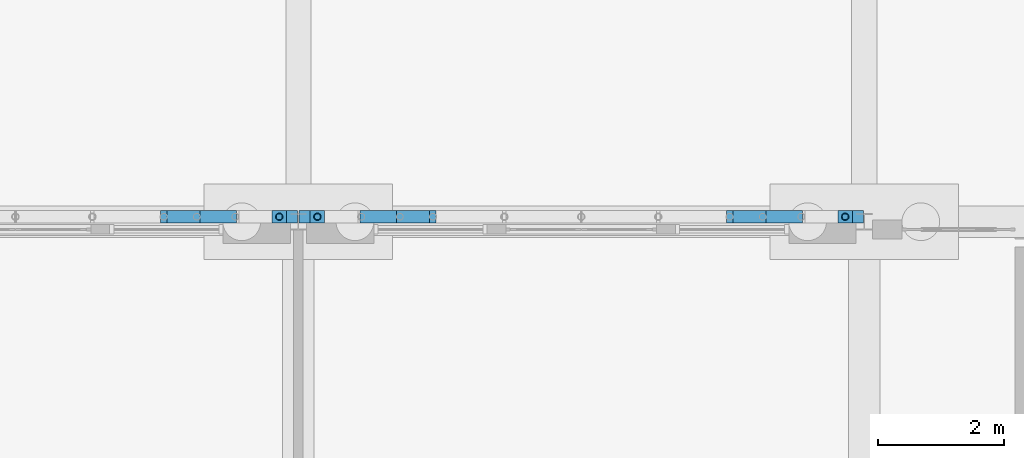
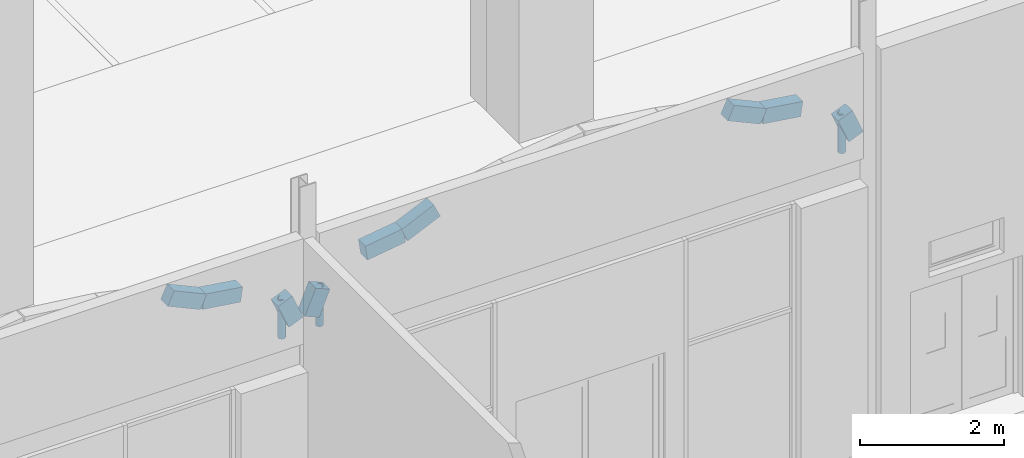
# One storey, part 68 of 250: 9 beams, 3 members.
"""IFC4 building model written with IfcOpenShell, lengths in metres."""

from ifc_helpers import new_model, si_unit, direction, frame, origin, origin_2d, place, context, subcontext, project, spatial, rectangle, hollow_circle, extrude, material, material_profile, profile_set, type_object, element, save


model = new_model("IFC4")

# Units and contexts
model_context = context("Model", 3, precision=1e-05, world=origin(), true_north=direction((0.0, 1.0)))
body_context = subcontext(model_context, "Body", "Model", "MODEL_VIEW")
ifc_project = project(units=[si_unit("LENGTHUNIT", "METRE"), si_unit("AREAUNIT", "SQUARE_METRE"), si_unit("VOLUMEUNIT", "CUBIC_METRE"), si_unit("PLANEANGLEUNIT", "RADIAN"), si_unit("MASSUNIT", "GRAM", prefix="KILO")], contexts=[model_context])

# Site, building, storey
site_placement = place(None, origin())
site = spatial("IfcSite", under=ifc_project, at=site_placement, CompositionType="ELEMENT")
building_placement = place(site_placement, origin())
building = spatial("IfcBuilding", under=site, at=building_placement, Name="Baradari Gate Terminus", CompositionType="ELEMENT")
storey_placement = place(building_placement, origin())
storey = spatial("IfcBuildingStorey", under=building, at=storey_placement, Name="L00", CompositionType="ELEMENT", Elevation=0.0)

# Members
ifc_material_1 = material(Name="Steel S355", Category="steel")
ifc_material_profile_1 = material_profile(ifc_material_1, hollow_circle(Radius=0.05712890625, WallThickness=0.00634765625, at=origin_2d()), Name="CHS 114.3x6.3")
ifc_profile_set_1 = profile_set([ifc_material_profile_1], Name="Steel S355")
member_type = type_object("IfcMemberType", Name="Arcade arch post SP-2 114x6.3", PredefinedType="POST", material=ifc_profile_set_1)
for number, where, z_axis, x_axis, name in (
    (1, (107.697021484375, 108.07861328125, 4.89990234375), (0.0, 0.0, 1.0), (1.0, 0.0, 0.0), "Arcade arch post 11.12"),
    (2, (108.302978515625, 108.07861328125, 4.89990234375), (0.0, 0.0, 1.0), (1.0, 0.0, 0.0), "Arcade arch post 12.2"),
    (3, (116.697021484375, 108.07861328125, 4.89990234375), (0.0, 0.0, 1.0), (1.0, 0.0, 0.0), "Arcade arch post 12.12"),
):
    element("IfcMember", number, at=place(storey_placement, frame(where, z_axis=z_axis, x_axis=x_axis)), inside=storey, type_object=member_type, Name=name, PredefinedType="POST", context=body_context, shape_type="SweptSolid", body=[
        extrude(hollow_circle(Radius=0.05712890625, WallThickness=0.00634765625, at=origin_2d()), origin(), (0.0, 0.0, 1.0), 0.66796875),
    ])

# Beams
ifc_material_2 = material(Name="Concrete C40/50 precast", Category="concrete")
ifc_material_profile_2 = material_profile(ifc_material_2, rectangle(XDim=0.199951171875, YDim=0.25, at=origin_2d()), Name="AB-1 200X250")
ifc_profile_set_2 = profile_set([ifc_material_profile_2], Name="Concrete C40/50 precast")
beam_type = type_object("IfcBeamType", Name="Arcade arch segment AB-1 200x250", PredefinedType="BEAM", material=ifc_profile_set_2)
beam_1_placement = place(storey_placement, frame((105.86083984375, 108.07861328125, 6.254150390625), z_axis=(0.910177822616, 0.0, -0.414217734071), x_axis=(0.0, 1.0, 0.0)))
element("IfcBeam", 4, at=beam_1_placement, inside=storey, type_object=beam_type, Name="Arcade arch AB-1 bay 11 segment 9", PredefinedType="BEAM", context=body_context, shape_type="SweptSolid", body=[
    extrude(rectangle(XDim=0.199951171875, YDim=0.25, at=origin_2d()), origin(), (0.0, 0.0, 1.0), 0.576416015625),
])
beam_2_placement = place(storey_placement, frame((106.385498046875, 108.07861328125, 6.015380859375), z_axis=(0.989454167091, 0.0, -0.144846302083), x_axis=(0.0, 1.0, 0.0)))
element("IfcBeam", 5, at=beam_2_placement, inside=storey, type_object=beam_type, Name="Arcade arch AB-1 bay 11 segment 10", PredefinedType="BEAM", context=body_context, shape_type="SweptSolid", body=[
    extrude(rectangle(XDim=0.199951171875, YDim=0.25, at=origin_2d()), origin(), (0.0, 0.0, 1.0), 0.61865234375),
])
for number, where, z_axis, x_axis, name in (
    (6, (107.697021484375, 108.07861328125, 5.56787109375), (0.385839488106, 0.0, -0.922565926868), (0.0, 1.0, 0.0), "Arcade arch AB-1 bay 11 segment 12"),
    (7, (108.128173828125, 108.07861328125, 5.14990234375), (0.385839488106, 0.0, 0.922565926868), (0.0, 1.0, 0.0), "Arcade arch AB-1 bay 12 segment 1"),
):
    element("IfcBeam", number, at=place(storey_placement, frame(where, z_axis=z_axis, x_axis=x_axis)), inside=storey, type_object=beam_type, Name=name, PredefinedType="BEAM", context=body_context, shape_type="SweptSolid", body=[
        extrude(rectangle(XDim=0.199951171875, YDim=0.25, at=origin_2d()), origin(), (0.0, 0.0, 1.0), 0.453125),
    ])
beam_3_placement = place(storey_placement, frame((109.00244140625, 108.07861328125, 5.92578125), z_axis=(0.989454167091, 0.0, 0.144846302083), x_axis=(0.0, 1.0, 0.0)))
element("IfcBeam", 8, at=beam_3_placement, inside=storey, type_object=beam_type, Name="Arcade arch AB-1 bay 12 segment 3", PredefinedType="BEAM", context=body_context, shape_type="SweptSolid", body=[
    extrude(rectangle(XDim=0.199951171875, YDim=0.25, at=origin_2d()), origin(), (0.0, 0.0, 1.0), 0.61865234375),
])
for number, where, z_axis, x_axis, name in (
    (9, (109.614501953125, 108.07861328125, 6.015380859375), (0.910177822616, 0.0, 0.414217734071), (0.0, 1.0, 0.0), "Arcade arch AB-1 bay 12 segment 4"),
    (10, (114.86083984375, 108.07861328125, 6.254150390625), (0.910177822616, 0.0, -0.414217734071), (0.0, 1.0, 0.0), "Arcade arch AB-1 bay 12 segment 9"),
):
    element("IfcBeam", number, at=place(storey_placement, frame(where, z_axis=z_axis, x_axis=x_axis)), inside=storey, type_object=beam_type, Name=name, PredefinedType="BEAM", context=body_context, shape_type="SweptSolid", body=[
        extrude(rectangle(XDim=0.199951171875, YDim=0.25, at=origin_2d()), origin(), (0.0, 0.0, 1.0), 0.576416015625),
    ])
beam_4_placement = place(storey_placement, frame((115.385498046875, 108.07861328125, 6.015380859375), z_axis=(0.989454167091, 0.0, -0.144846302083), x_axis=(0.0, 1.0, 0.0)))
element("IfcBeam", 11, at=beam_4_placement, inside=storey, type_object=beam_type, Name="Arcade arch AB-1 bay 12 segment 10", PredefinedType="BEAM", context=body_context, shape_type="SweptSolid", body=[
    extrude(rectangle(XDim=0.199951171875, YDim=0.25, at=origin_2d()), origin(), (0.0, 0.0, 1.0), 0.61865234375),
])
beam_5_placement = place(storey_placement, frame((116.697021484375, 108.07861328125, 5.56787109375), z_axis=(0.385839488106, 0.0, -0.922565926868), x_axis=(0.0, 1.0, 0.0)))
element("IfcBeam", 12, at=beam_5_placement, inside=storey, type_object=beam_type, Name="Arcade arch AB-1 bay 12 segment 12", PredefinedType="BEAM", context=body_context, shape_type="SweptSolid", body=[
    extrude(rectangle(XDim=0.199951171875, YDim=0.25, at=origin_2d()), origin(), (0.0, 0.0, 1.0), 0.453125),
])

save(model, "model.ifc")
